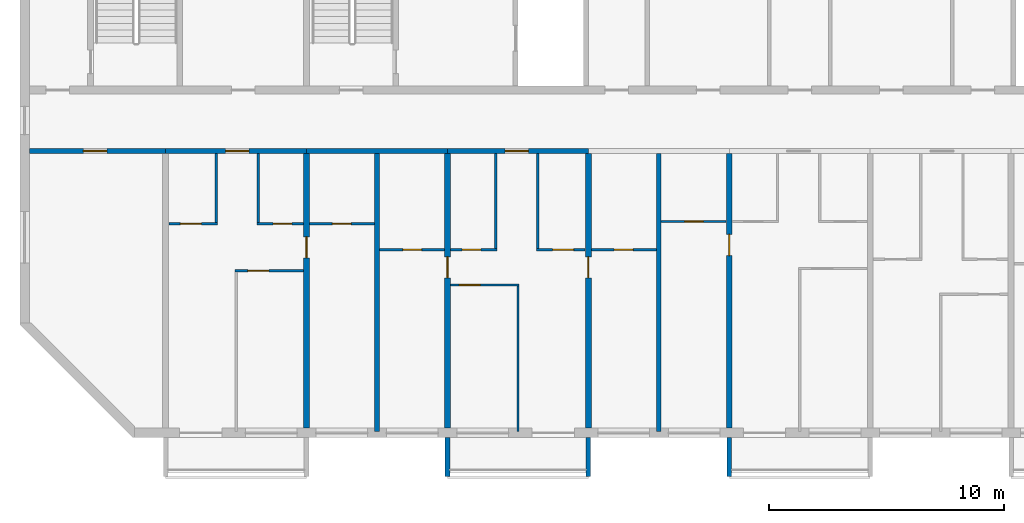
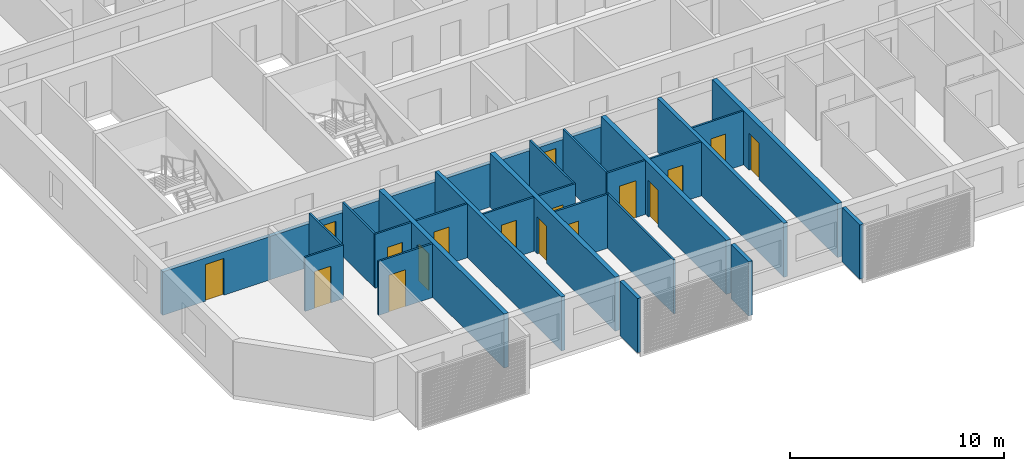
# One storey, part 2 of 29: 28 walls, 17 doors, 17 openings.
"""IFC4 building model written with IfcOpenShell, lengths in metres."""

import ifcopenshell
import ifcopenshell.guid

model = None  # the IFC model being written
_history = None  # IfcOwnerHistory: only IFC2X3 demands one
_inside = {}  # id of a spatial element -> (the spatial element, [elements in it])
_under = {}  # id of a project, library or spatial element -> (it, [spatial elements below it])
_declared = {}  # id of a project -> (the project, [libraries it declares])
_typed = {}  # id of a type object -> (the type object, [elements of that type])
_made_of = {}  # id of a material, layer set ... -> (it, [elements and type objects made of it])


def new_model(schema):
    """Start an empty IFC model of exactly this schema.

    Asked for "IFC4X3", IfcOpenShell would pick the latest addendum, in which some entities
    have other attributes; the version numbers below select the first issue.
    IFC2X3 requires an IfcOwnerHistory on every rooted entity: one is made here for all.
    """
    global model, _history
    if schema == "IFC4X3":
        model = ifcopenshell.file(schema_version=(4, 3, 0, 0))
    else:
        model = ifcopenshell.file(schema=schema)
    _inside.clear()
    _under.clear()
    _declared.clear()
    _typed.clear()
    _made_of.clear()
    _history = None
    if model.schema == "IFC2X3":
        org = make("IfcOrganization", Name="unknown")
        user = make(
            "IfcPersonAndOrganization",
            ThePerson=make("IfcPerson", FamilyName="unknown"),
            TheOrganization=org,
        )
        app = make(
            "IfcApplication",
            ApplicationDeveloper=org,
            Version="unknown",
            ApplicationFullName="unknown",
            ApplicationIdentifier="unknown",
        )
        _history = make(
            "IfcOwnerHistory",
            OwningUser=user,
            OwningApplication=app,
            ChangeAction="ADDED",
            CreationDate=0,
        )
    return model


def make(cls, **values):
    """One entity of the class cls with the attributes given. An attribute that is None is left unset."""
    return model.create_entity(
        cls, **{name: value for name, value in values.items() if value is not None}
    )


def rooted(cls, **values):
    """An entity with a GlobalId (a new one), such as an element, a storey or a relation."""
    return make(cls, GlobalId=ifcopenshell.guid.new(), OwnerHistory=_history, **values)


def si_unit(unit_type, name, prefix=None):
    """IfcSIUnit, for example si_unit("LENGTHUNIT", "METRE", prefix="MILLI")."""
    return make("IfcSIUnit", UnitType=unit_type, Prefix=prefix, Name=name)


def assignment(units):
    """IfcUnitAssignment: the units of a project."""
    return None if units is None else make("IfcUnitAssignment", Units=units)


def point(xyz):
    """IfcCartesianPoint."""
    return None if xyz is None else make("IfcCartesianPoint", Coordinates=xyz)


def direction(xyz):
    """IfcDirection."""
    return None if xyz is None else make("IfcDirection", DirectionRatios=xyz)


def frame(location, z_axis=None, x_axis=None):
    """IfcAxis2Placement3D, a coordinate frame: its origin and axes. An axis left out is left unset."""
    return make(
        "IfcAxis2Placement3D",
        Location=point(location),
        Axis=direction(z_axis),
        RefDirection=direction(x_axis),
    )


def frame_2d(location, x_axis=None):
    """IfcAxis2Placement2D, a coordinate frame in the plane: its origin and x axis."""
    return make(
        "IfcAxis2Placement2D", Location=point(location), RefDirection=direction(x_axis)
    )


def origin():
    """The frame at (0, 0, 0) with its axes left unset."""
    return frame((0.0, 0.0, 0.0))


def place(relative_to, where):
    """IfcLocalPlacement: puts the frame where relative to a parent placement (None: the world)."""
    return make(
        "IfcLocalPlacement", PlacementRelTo=relative_to, RelativePlacement=where
    )


def context(
    kind, dimensions, precision=None, world=None, true_north=None, identifier=None
):
    """IfcGeometricRepresentationContext, for example the 3D "Model" context."""
    return make(
        "IfcGeometricRepresentationContext",
        ContextIdentifier=identifier,
        ContextType=kind,
        CoordinateSpaceDimension=dimensions,
        Precision=precision,
        WorldCoordinateSystem=world,
        TrueNorth=true_north,
    )


def subcontext(parent, identifier, kind, view, scale=None):
    """IfcGeometricRepresentationSubContext, for example "Body" below "Model"."""
    return make(
        "IfcGeometricRepresentationSubContext",
        ContextIdentifier=identifier,
        ContextType=kind,
        ParentContext=parent,
        TargetScale=scale,
        TargetView=view,
    )


def project(units=None, contexts=None):
    """IfcProject with its units and contexts."""
    return rooted(
        "IfcProject",
        Name="project",
        RepresentationContexts=contexts,
        UnitsInContext=assignment(units),
    )


def spatial(cls, under=None, at=None, **own):
    """A site, building, storey or space (cls), placed at a placement, below another one or the project."""
    s = rooted(cls, ObjectPlacement=at, **own)
    if under is not None:
        _under.setdefault(under.id(), (under, []))[1].append(s)
    return s


def polyline(points):
    """IfcPolyline through the points."""
    return make("IfcPolyline", Points=[point(p) for p in points])


def profile(cls, at=None, kind="AREA", **sizes):
    """A parametric profile (cls). Its sizes go by their IFC names, for example OverallWidth=200.0."""
    return make(cls, ProfileType=kind, Position=at, **sizes)


def rectangle(**sizes):
    """IfcRectangleProfileDef."""
    return profile("IfcRectangleProfileDef", **sizes)


def outline(outer, holes=None, kind="AREA"):
    """IfcArbitraryClosedProfileDef: a profile drawn as a closed curve; with holes, ...WithVoids."""
    if holes is None:
        return make("IfcArbitraryClosedProfileDef", ProfileType=kind, OuterCurve=outer)
    return make(
        "IfcArbitraryProfileDefWithVoids",
        ProfileType=kind,
        OuterCurve=outer,
        InnerCurves=holes,
    )


def extrude(swept, where, along, depth):
    """IfcExtrudedAreaSolid: the profile swept, set in the frame where, extruded along a direction by depth."""
    return make(
        "IfcExtrudedAreaSolid",
        SweptArea=swept,
        Position=where,
        ExtrudedDirection=direction(along),
        Depth=depth,
    )


def shape(context_of_items, identifier, shape_type, items):
    """IfcShapeRepresentation: the items that make up one representation, for example the "Body"."""
    return make(
        "IfcShapeRepresentation",
        ContextOfItems=context_of_items,
        RepresentationIdentifier=identifier,
        RepresentationType=shape_type,
        Items=items,
    )


def source(mapping_origin, context_of_items, identifier, shape_type, items):
    """IfcRepresentationMap: a shape defined once, which mapped items show again and again."""
    return make(
        "IfcRepresentationMap",
        MappingOrigin=mapping_origin,
        MappedRepresentation=shape(context_of_items, identifier, shape_type, items),
    )


def transform(
    local_origin,
    x_axis=None,
    y_axis=None,
    z_axis=None,
    scale=None,
    scale2=None,
    scale3=None,
    uniform=True,
):
    """IfcCartesianTransformationOperator3D, or its non-uniform kind. x_axis, y_axis, z_axis: its Axis1, 2, 3."""
    if uniform:
        return make(
            "IfcCartesianTransformationOperator3D",
            Axis1=direction(x_axis),
            Axis2=direction(y_axis),
            LocalOrigin=point(local_origin),
            Scale=scale,
            Axis3=direction(z_axis),
        )
    return make(
        "IfcCartesianTransformationOperator3DnonUniform",
        Axis1=direction(x_axis),
        Axis2=direction(y_axis),
        LocalOrigin=point(local_origin),
        Scale=scale,
        Axis3=direction(z_axis),
        Scale2=scale2,
        Scale3=scale3,
    )


def mapped(mapping_source, mapping_target):
    """IfcMappedItem: shows the shape of a source again, moved by a transform."""
    return make(
        "IfcMappedItem", MappingSource=mapping_source, MappingTarget=mapping_target
    )


def material(Name=None, Category=None):
    """IfcMaterial."""
    return make("IfcMaterial", Name=Name, Category=Category)


def layer(
    of_material, thickness, ventilated=None, Name=None, Category=None, Priority=None
):
    """IfcMaterialLayer: one layer of a wall or slab, of a material (None: an air gap)."""
    return make(
        "IfcMaterialLayer",
        Material=of_material,
        LayerThickness=thickness,
        IsVentilated=ventilated,
        Name=Name,
        Category=Category,
        Priority=Priority,
    )


def layer_set(layers, Name=None):
    """IfcMaterialLayerSet."""
    return make("IfcMaterialLayerSet", MaterialLayers=layers, LayerSetName=Name)


def made_of(thing, what):
    """Note that an element or type object is made of a material, layer set ...; save() writes the relation."""
    if what is not None:
        _made_of.setdefault(what.id(), (what, []))[1].append(thing)
    return thing


def type_object(cls, material=None, **own):
    """A type object (cls), such as IfcWallType, which elements share."""
    return made_of(rooted(cls, **own), material)


def element(
    cls,
    number,
    at=None,
    inside=None,
    cuts=None,
    type_object=None,
    material=None,
    context=None,
    identifier="Body",
    shape_type=None,
    held_by="IfcProductDefinitionShape",
    body=None,
    shapes=None,
    **own,
):
    """One element of the class cls, such as IfcWall. Its Tag is "e" and its number.

    at: its placement. inside: the storey or other place that contains it. cuts: it is an
    opening in that element (IfcRelVoidsElement). A single representation is given by context,
    identifier, shape_type and body (its items); several are given by shapes. held_by: the class
    of the entity that holds the representations. save() writes the other relations.
    """
    e = rooted(cls, Tag="e%d" % number, ObjectPlacement=at, **own)
    if body is not None:
        shapes = [shape(context, identifier, shape_type, body)]
    if shapes is not None:
        e.Representation = make(held_by, Representations=shapes)
    if inside is not None:
        _inside.setdefault(inside.id(), (inside, []))[1].append(e)
    if cuts is not None:
        rooted(
            "IfcRelVoidsElement", RelatingBuildingElement=cuts, RelatedOpeningElement=e
        )
    if type_object is not None:
        _typed.setdefault(type_object.id(), (type_object, []))[1].append(e)
    return made_of(e, material)


def fill(opening, filler):
    """IfcRelFillsElement: the door or window that sits in an opening."""
    return rooted(
        "IfcRelFillsElement",
        RelatingOpeningElement=opening,
        RelatedBuildingElement=filler,
    )


def aggregate(whole, parts):
    """IfcRelAggregates: a whole, such as a stair, and the parts it consists of."""
    return rooted("IfcRelAggregates", RelatingObject=whole, RelatedObjects=parts)


def save(model, path):
    """Write the relations noted so far, then the file.

    IfcRelAggregates (storeys below a building ...), IfcRelContainedInSpatialStructure (elements
    in a storey), IfcRelDefinesByType, IfcRelAssociatesMaterial and IfcRelDeclares: one each for
    every whole, place, type object, material and project.
    """
    for whole, parts in _under.values():
        aggregate(whole, parts)
    for where, things in _inside.values():
        rooted(
            "IfcRelContainedInSpatialStructure",
            RelatedElements=things,
            RelatingStructure=where,
        )
    for kind, things in _typed.values():
        rooted("IfcRelDefinesByType", RelatedObjects=things, RelatingType=kind)
    for what, things in _made_of.values():
        rooted("IfcRelAssociatesMaterial", RelatedObjects=things, RelatingMaterial=what)
    for by, libraries in _declared.values():
        rooted("IfcRelDeclares", RelatingContext=by, RelatedDefinitions=libraries)
    model.write(path)


model = new_model("IFC4")

# Units and contexts
model_context = context("Model", 3, precision=1e-05, world=origin(), true_north=direction((0.0, 1.0)))
body_context = subcontext(model_context, "Body", "Model", "MODEL_VIEW")
ifc_project = project(units=[si_unit("LENGTHUNIT", "METRE"), si_unit("AREAUNIT", "SQUARE_METRE"), si_unit("VOLUMEUNIT", "CUBIC_METRE"), si_unit("PLANEANGLEUNIT", "RADIAN"), si_unit("MASSUNIT", "GRAM", prefix="KILO")], contexts=[model_context])

# Site, building, storey
site_placement = place(None, origin())
site = spatial("IfcSite", under=ifc_project, at=site_placement, CompositionType="ELEMENT")
building_placement = place(site_placement, origin())
building = spatial("IfcBuilding", under=site, at=building_placement, Name="Poui Terraces", CompositionType="ELEMENT")
storey_placement = place(building_placement, frame((0.0, 0.0, 231.300048828125)))
storey = spatial("IfcBuildingStorey", under=building, at=storey_placement, Name="L64", CompositionType="ELEMENT", Elevation=231.300048828125)

# Wall, opening, door
ifc_material_1 = material(Name="Concrete 50 MPa", Category="concrete")
ifc_layer_1 = layer(ifc_material_1, 0.199951171875)
ifc_layer_set_1 = layer_set([ifc_layer_1], Name="Concrete 50 MPa")
wall_type_1 = type_object("IfcWallType", Name="CORRIDOR WALL 200 50MPa", PredefinedType="SHEAR", material=ifc_layer_set_1)
wall_1_placement = place(storey_placement, frame((18.199951171875, 12.0, 0.0), z_axis=(0.0, 0.0, 1.0), x_axis=(1.0, 0.0, 0.0)))
wall_1 = element("IfcWall", 1, at=wall_1_placement, inside=storey, type_object=wall_type_1, Name="CORRIDOR WALL LINE B BAY 1", PredefinedType="SHEAR", context=body_context, shape_type="SweptSolid", body=[
    extrude(rectangle(XDim=5.800048828125, YDim=0.199951171875, at=frame_2d((2.89990234375, 0.0))), origin(), (0.0, 0.0, 1.0), 2.47998046875),
])
opening_1_placement = place(wall_1_placement, frame((2.300048828125, 0.0, 0.0)))
opening_1 = element("IfcOpeningElement", 2, at=opening_1_placement, cuts=wall_1, Name="Opening D100", PredefinedType="OPENING", context=body_context, shape_type="SweptSolid", body=[
    extrude(rectangle(XDim=1.0, YDim=2.10009765625, at=frame_2d((0.5, 1.050048828125))), frame((0.0, 0.10986328125, 0.0), z_axis=(0.0, -1.0, 0.0), x_axis=(1.0, 0.0, 0.0)), (0.0, 0.0, 1.0), 0.219970703125),
])
ifc_material_2 = material(Name="Solid core timber door", Category="wood")
door_type_1 = type_object("IfcDoorType", Name="ACCESSIBLE INTERNAL DOOR 1000 X 2100", OperationType="NOTDEFINED", PredefinedType="DOOR", material=ifc_material_2)
door_1_placement = place(opening_1_placement, frame((1.0, 0.0, 0.0), z_axis=(0.0, 0.0, 1.0), x_axis=(-1.0, 0.0, 0.0)))
door_1 = element("IfcDoor", 3, at=door_1_placement, inside=storey, type_object=door_type_1, Name="ACCESSIBLE INTERNAL DOOR 063", OperationType="SINGLE_SWING_RIGHT", OverallHeight=2.10009765625, OverallWidth=1.0, PredefinedType="DOOR", context=body_context, shape_type="SweptSolid", body=[
    extrude(rectangle(XDim=1.0, YDim=2.10009765625, at=frame_2d((0.5, 1.050048828125))), frame((0.0, 0.02490234375, 0.0), z_axis=(0.0, -1.0, 0.0), x_axis=(1.0, 0.0, 0.0)), (0.0, 0.0, 1.0), 0.050048828125),
])
fill(opening_1, door_1)

wall_2_placement = place(storey_placement, frame((24.0, 12.0, 0.0), z_axis=(0.0, 0.0, 1.0), x_axis=(1.0, 0.0, 0.0)))
wall_2 = element("IfcWall", 4, at=wall_2_placement, inside=storey, type_object=wall_type_1, Name="CORRIDOR WALL LINE B BAY 2", PredefinedType="SHEAR", context=body_context, shape_type="SweptSolid", body=[
    extrude(rectangle(XDim=6.0, YDim=0.199951171875, at=frame_2d((3.0, 0.0))), origin(), (0.0, 0.0, 1.0), 2.47998046875),
])
opening_2_placement = place(wall_2_placement, frame((2.550048828125, 0.0, 0.0)))
opening_2 = element("IfcOpeningElement", 5, at=opening_2_placement, cuts=wall_2, Name="Opening FD30S", PredefinedType="OPENING", context=body_context, shape_type="SweptSolid", body=[
    extrude(rectangle(XDim=1.0, YDim=2.10009765625, at=frame_2d((0.5, 1.050048828125))), frame((0.0, 0.10986328125, 0.0), z_axis=(0.0, -1.0, 0.0), x_axis=(1.0, 0.0, 0.0)), (0.0, 0.0, 1.0), 0.219970703125),
])
ifc_material_3 = material(Name="Steel fire door", Category="steel")
door_type_2 = type_object("IfcDoorType", Name="FLAT ENTRANCE DOOR 1000 X 2100", OperationType="NOTDEFINED", PredefinedType="DOOR", material=ifc_material_3)
door_2_placement = place(opening_2_placement, frame((1.0, 0.0, 0.0), z_axis=(0.0, 0.0, 1.0), x_axis=(-1.0, 0.0, 0.0)))
door_2 = element("IfcDoor", 6, at=door_2_placement, inside=storey, type_object=door_type_2, Name="FLAT ENTRANCE DOOR 066", OperationType="SINGLE_SWING_LEFT", OverallHeight=2.10009765625, OverallWidth=1.0, PredefinedType="DOOR", context=body_context, shape_type="SweptSolid", body=[
    extrude(rectangle(XDim=1.0, YDim=2.10009765625, at=frame_2d((0.5, 1.050048828125))), frame((0.0, 0.02490234375, 0.0), z_axis=(0.0, -1.0, 0.0), x_axis=(1.0, 0.0, 0.0)), (0.0, 0.0, 1.0), 0.050048828125),
])
fill(opening_2, door_2)

# Wall
wall_3_placement = place(storey_placement, frame((30.0, 12.0, 0.0), z_axis=(0.0, 0.0, 1.0), x_axis=(1.0, 0.0, 0.0)))
element("IfcWall", 7, at=wall_3_placement, inside=storey, type_object=wall_type_1, Name="CORRIDOR WALL LINE B BAY 3", PredefinedType="SHEAR", context=body_context, shape_type="SweptSolid", body=[
    extrude(rectangle(XDim=6.0, YDim=0.199951171875, at=frame_2d((3.0, 0.0))), origin(), (0.0, 0.0, 1.0), 2.47998046875),
])

# Wall, opening, door
wall_4_placement = place(storey_placement, frame((36.0, 12.0, 0.0), z_axis=(0.0, 0.0, 1.0), x_axis=(1.0, 0.0, 0.0)))
wall_4 = element("IfcWall", 8, at=wall_4_placement, inside=storey, type_object=wall_type_1, Name="CORRIDOR WALL LINE B BAY 4", PredefinedType="SHEAR", context=body_context, shape_type="SweptSolid", body=[
    extrude(rectangle(XDim=6.0, YDim=0.199951171875, at=frame_2d((3.0, 0.0))), origin(), (0.0, 0.0, 1.0), 2.47998046875),
])
opening_3_placement = place(wall_4_placement, frame((2.449951171875, 0.0, 0.0)))
opening_3 = element("IfcOpeningElement", 9, at=opening_3_placement, cuts=wall_4, Name="Opening FD30S", PredefinedType="OPENING", context=body_context, shape_type="SweptSolid", body=[
    extrude(rectangle(XDim=1.0, YDim=2.10009765625, at=frame_2d((0.5, 1.050048828125))), frame((0.0, 0.10986328125, 0.0), z_axis=(0.0, -1.0, 0.0), x_axis=(1.0, 0.0, 0.0)), (0.0, 0.0, 1.0), 0.219970703125),
])
door_3_placement = place(opening_3_placement, frame((1.0, 0.0, 0.0), z_axis=(0.0, 0.0, 1.0), x_axis=(-1.0, 0.0, 0.0)))
door_3 = element("IfcDoor", 10, at=door_3_placement, inside=storey, type_object=door_type_2, Name="FLAT ENTRANCE DOOR 075", OperationType="SINGLE_SWING_RIGHT", OverallHeight=2.10009765625, OverallWidth=1.0, PredefinedType="DOOR", context=body_context, shape_type="SweptSolid", body=[
    extrude(rectangle(XDim=1.0, YDim=2.10009765625, at=frame_2d((0.5, 1.050048828125))), frame((0.0, 0.02490234375, 0.0), z_axis=(0.0, -1.0, 0.0), x_axis=(1.0, 0.0, 0.0)), (0.0, 0.0, 1.0), 0.050048828125),
])
fill(opening_3, door_3)

ifc_layer_2 = layer(ifc_material_1, 0.25)
ifc_layer_set_2 = layer_set([ifc_layer_2], Name="Concrete 50 MPa")
wall_type_2 = type_object("IfcWallType", Name="CROSS WALL 250 50MPa", PredefinedType="SHEAR", material=ifc_layer_set_2)
wall_5_placement = place(storey_placement, frame((30.0, 0.199951171875, 0.0), z_axis=(0.0, 0.0, 1.0), x_axis=(0.0, 1.0, 0.0)))
wall_5 = element("IfcWall", 11, at=wall_5_placement, inside=storey, type_object=wall_type_2, Name="CROSS WALL LINE 6 SOUTH", PredefinedType="SHEAR", context=body_context, shape_type="SweptSolid", body=[
    extrude(rectangle(XDim=11.699951171875, YDim=0.25, at=frame_2d((5.85009765625, 0.0))), origin(), (0.0, 0.0, 1.0), 3.079833984375),
])
opening_4_placement = place(wall_5_placement, frame((7.25, 0.0, 0.0)))
opening_4 = element("IfcOpeningElement", 12, at=opening_4_placement, cuts=wall_5, Name="Opening D90", PredefinedType="OPENING", context=body_context, shape_type="SweptSolid", body=[
    extrude(rectangle(XDim=0.89990234375, YDim=2.10009765625, at=frame_2d((0.449951171875, 1.050048828125))), frame((0.0, 0.135009765625, 0.0), z_axis=(0.0, -1.0, 0.0), x_axis=(1.0, 0.0, 0.0)), (0.0, 0.0, 1.0), 0.27001953125),
])
door_type_3 = type_object("IfcDoorType", Name="INTERNAL DOOR 900 X 2100", OperationType="NOTDEFINED", PredefinedType="DOOR", material=ifc_material_2)
door_4_placement = place(opening_4_placement, frame((0.89990234375, 0.0, 0.0), z_axis=(0.0, 0.0, 1.0), x_axis=(-1.0, 0.0, 0.0)))
door_4 = element("IfcDoor", 13, at=door_4_placement, inside=storey, type_object=door_type_3, Name="INTERNAL DOOR 069", OperationType="SINGLE_SWING_LEFT", OverallHeight=2.10009765625, OverallWidth=0.89990234375, PredefinedType="DOOR", context=body_context, shape_type="SweptSolid", body=[
    extrude(rectangle(XDim=0.89990234375, YDim=2.10009765625, at=frame_2d((0.449951171875, 1.050048828125))), frame((0.0, 0.02490234375, 0.0), z_axis=(0.0, -1.0, 0.0), x_axis=(1.0, 0.0, 0.0)), (0.0, 0.0, 1.0), 0.050048828125),
])
fill(opening_4, door_4)

wall_6_placement = place(storey_placement, frame((36.0, 0.199951171875, 0.0), z_axis=(0.0, 0.0, 1.0), x_axis=(0.0, 1.0, 0.0)))
wall_6 = element("IfcWall", 14, at=wall_6_placement, inside=storey, type_object=wall_type_2, Name="CROSS WALL LINE 7 SOUTH", PredefinedType="SHEAR", context=body_context, shape_type="SweptSolid", body=[
    extrude(rectangle(XDim=11.699951171875, YDim=0.25, at=frame_2d((5.85009765625, 0.0))), origin(), (0.0, 0.0, 1.0), 3.079833984375),
])
opening_5_placement = place(wall_6_placement, frame((6.39990234375, 0.0, 0.0)))
opening_5 = element("IfcOpeningElement", 15, at=opening_5_placement, cuts=wall_6, Name="Opening D90", PredefinedType="OPENING", context=body_context, shape_type="SweptSolid", body=[
    extrude(rectangle(XDim=0.89990234375, YDim=2.10009765625, at=frame_2d((0.449951171875, 1.050048828125))), frame((0.0, 0.135009765625, 0.0), z_axis=(0.0, -1.0, 0.0), x_axis=(1.0, 0.0, 0.0)), (0.0, 0.0, 1.0), 0.27001953125),
])
door_5_placement = place(opening_5_placement, origin())
door_5 = element("IfcDoor", 16, at=door_5_placement, inside=storey, type_object=door_type_3, Name="INTERNAL DOOR 072", OperationType="SINGLE_SWING_RIGHT", OverallHeight=2.10009765625, OverallWidth=0.89990234375, PredefinedType="DOOR", context=body_context, shape_type="SweptSolid", body=[
    extrude(rectangle(XDim=0.89990234375, YDim=2.10009765625, at=frame_2d((0.449951171875, 1.050048828125))), frame((0.0, 0.02490234375, 0.0), z_axis=(0.0, -1.0, 0.0), x_axis=(1.0, 0.0, 0.0)), (0.0, 0.0, 1.0), 0.050048828125),
])
fill(opening_5, door_5)

wall_7_placement = place(storey_placement, frame((42.0, 0.199951171875, 0.0), z_axis=(0.0, 0.0, 1.0), x_axis=(0.0, 1.0, 0.0)))
wall_7 = element("IfcWall", 17, at=wall_7_placement, inside=storey, type_object=wall_type_2, Name="CROSS WALL LINE 8 SOUTH", PredefinedType="SHEAR", context=body_context, shape_type="SweptSolid", body=[
    extrude(rectangle(XDim=11.699951171875, YDim=0.25, at=frame_2d((5.85009765625, 0.0))), origin(), (0.0, 0.0, 1.0), 3.079833984375),
])
opening_6_placement = place(wall_7_placement, frame((6.39990234375, 0.0, 0.0)))
opening_6 = element("IfcOpeningElement", 18, at=opening_6_placement, cuts=wall_7, Name="Opening D90", PredefinedType="OPENING", context=body_context, shape_type="SweptSolid", body=[
    extrude(rectangle(XDim=0.89990234375, YDim=2.10009765625, at=frame_2d((0.449951171875, 1.050048828125))), frame((0.0, 0.135009765625, 0.0), z_axis=(0.0, -1.0, 0.0), x_axis=(1.0, 0.0, 0.0)), (0.0, 0.0, 1.0), 0.27001953125),
])
door_6_placement = place(opening_6_placement, frame((0.89990234375, 0.0, 0.0), z_axis=(0.0, 0.0, 1.0), x_axis=(-1.0, 0.0, 0.0)))
door_6 = element("IfcDoor", 19, at=door_6_placement, inside=storey, type_object=door_type_3, Name="INTERNAL DOOR 077", OperationType="SINGLE_SWING_LEFT", OverallHeight=2.10009765625, OverallWidth=0.89990234375, PredefinedType="DOOR", context=body_context, shape_type="SweptSolid", body=[
    extrude(rectangle(XDim=0.89990234375, YDim=2.10009765625, at=frame_2d((0.449951171875, 1.050048828125))), frame((0.0, 0.02490234375, 0.0), z_axis=(0.0, -1.0, 0.0), x_axis=(1.0, 0.0, 0.0)), (0.0, 0.0, 1.0), 0.050048828125),
])
fill(opening_6, door_6)

wall_8_placement = place(storey_placement, frame((48.0, 0.199951171875, 0.0), z_axis=(0.0, 0.0, 1.0), x_axis=(0.0, 1.0, 0.0)))
wall_8 = element("IfcWall", 20, at=wall_8_placement, inside=storey, type_object=wall_type_2, Name="CROSS WALL LINE 9 SOUTH", PredefinedType="SHEAR", context=body_context, shape_type="SweptSolid", body=[
    extrude(rectangle(XDim=11.699951171875, YDim=0.25, at=frame_2d((5.85009765625, 0.0))), origin(), (0.0, 0.0, 1.0), 3.079833984375),
])
opening_7_placement = place(wall_8_placement, frame((7.35009765625, 0.0, 0.0)))
opening_7 = element("IfcOpeningElement", 21, at=opening_7_placement, cuts=wall_8, Name="Opening D90", PredefinedType="OPENING", context=body_context, shape_type="SweptSolid", body=[
    extrude(rectangle(XDim=0.89990234375, YDim=2.10009765625, at=frame_2d((0.449951171875, 1.050048828125))), frame((0.0, 0.135009765625, 0.0), z_axis=(0.0, -1.0, 0.0), x_axis=(1.0, 0.0, 0.0)), (0.0, 0.0, 1.0), 0.27001953125),
])
door_7_placement = place(opening_7_placement, origin())
door_7 = element("IfcDoor", 22, at=door_7_placement, inside=storey, type_object=door_type_3, Name="INTERNAL DOOR 079", OperationType="SINGLE_SWING_RIGHT", OverallHeight=2.10009765625, OverallWidth=0.89990234375, PredefinedType="DOOR", context=body_context, shape_type="SweptSolid", body=[
    extrude(rectangle(XDim=0.89990234375, YDim=2.10009765625, at=frame_2d((0.449951171875, 1.050048828125))), frame((0.0, 0.02490234375, 0.0), z_axis=(0.0, -1.0, 0.0), x_axis=(1.0, 0.0, 0.0)), (0.0, 0.0, 1.0), 0.050048828125),
])
fill(opening_7, door_7)

ifc_material_4 = material(Name="Plasterboard partition")
ifc_layer_3 = layer(ifc_material_4, 0.10009765625)
ifc_layer_set_3 = layer_set([ifc_layer_3], Name="Plasterboard partition")
wall_type_3 = type_object("IfcWallType", Name="FLAT PARTITION 100", PredefinedType="PARTITIONING", material=ifc_layer_set_3)
wall_9_placement = place(storey_placement, frame((36.135009765625, 6.300048828125, 0.0), z_axis=(0.0, 0.0, 1.0), x_axis=(1.0, 0.0, 0.0)))
wall_9 = element("IfcWall", 23, at=wall_9_placement, inside=storey, type_object=wall_type_3, Name="FLAT PARTITION 100", PredefinedType="PARTITIONING", context=body_context, shape_type="SweptSolid", body=[
    extrude(rectangle(XDim=2.9150390625, YDim=0.10009765625, at=frame_2d((1.45751953125, 0.0))), origin(), (0.0, 0.0, 1.0), 3.079833984375),
])
opening_8_placement = place(wall_9_placement, frame((0.364990234375, 0.0, 0.0)))
opening_8 = element("IfcOpeningElement", 24, at=opening_8_placement, cuts=wall_9, Name="Opening D90", PredefinedType="OPENING", context=body_context, shape_type="SweptSolid", body=[
    extrude(rectangle(XDim=0.89990234375, YDim=2.10009765625, at=frame_2d((0.449951171875, 1.050048828125))), frame((0.0, 0.06005859375, 0.0), z_axis=(0.0, -1.0, 0.0), x_axis=(1.0, 0.0, 0.0)), (0.0, 0.0, 1.0), 0.1201171875),
])
door_8_placement = place(opening_8_placement, origin())
door_8 = element("IfcDoor", 25, at=door_8_placement, inside=storey, type_object=door_type_3, Name="INTERNAL DOOR 073", OperationType="SINGLE_SWING_RIGHT", OverallHeight=2.10009765625, OverallWidth=0.89990234375, PredefinedType="DOOR", context=body_context, shape_type="SweptSolid", body=[
    extrude(rectangle(XDim=0.89990234375, YDim=2.10009765625, at=frame_2d((0.449951171875, 1.050048828125))), frame((0.0, 0.02490234375, 0.0), z_axis=(0.0, -1.0, 0.0), x_axis=(1.0, 0.0, 0.0)), (0.0, 0.0, 1.0), 0.050048828125),
])
fill(opening_8, door_8)

wall_10_placement = place(storey_placement, frame((26.949951171875, 6.89990234375, 0.0), z_axis=(0.0, 0.0, 1.0), x_axis=(1.0, 0.0, 0.0)))
wall_10 = element("IfcWall", 26, at=wall_10_placement, inside=storey, type_object=wall_type_3, Name="FLAT PARTITION 100", PredefinedType="PARTITIONING", context=body_context, shape_type="SweptSolid", body=[
    extrude(rectangle(XDim=2.9150390625, YDim=0.10009765625, at=frame_2d((1.45751953125, 0.0))), origin(), (0.0, 0.0, 1.0), 3.079833984375),
])
opening_9_placement = place(wall_10_placement, frame((0.550048828125, 0.0, 0.0)))
opening_9 = element("IfcOpeningElement", 27, at=opening_9_placement, cuts=wall_10, Name="Opening D90", PredefinedType="OPENING", context=body_context, shape_type="SweptSolid", body=[
    extrude(rectangle(XDim=0.89990234375, YDim=2.10009765625, at=frame_2d((0.449951171875, 1.050048828125))), frame((0.0, 0.06005859375, 0.0), z_axis=(0.0, -1.0, 0.0), x_axis=(1.0, 0.0, 0.0)), (0.0, 0.0, 1.0), 0.1201171875),
])
door_9_placement = place(opening_9_placement, origin())
door_9 = element("IfcDoor", 28, at=door_9_placement, inside=storey, type_object=door_type_3, Name="INTERNAL DOOR 067", OperationType="SINGLE_SWING_RIGHT", OverallHeight=2.10009765625, OverallWidth=0.89990234375, PredefinedType="DOOR", context=body_context, shape_type="SweptSolid", body=[
    extrude(rectangle(XDim=0.89990234375, YDim=2.10009765625, at=frame_2d((0.449951171875, 1.050048828125))), frame((0.0, 0.02490234375, 0.0), z_axis=(0.0, -1.0, 0.0), x_axis=(1.0, 0.0, 0.0)), (0.0, 0.0, 1.0), 0.050048828125),
])
fill(opening_9, door_9)

wall_11_placement = place(storey_placement, frame((33.10009765625, 7.800048828125, 0.0), z_axis=(0.0, 0.0, 1.0), x_axis=(1.0, 0.0, 0.0)))
wall_11 = element("IfcWall", 29, at=wall_11_placement, inside=storey, type_object=wall_type_3, Name="FLAT PARTITION 100", PredefinedType="PARTITIONING", context=body_context, shape_type="SweptSolid", body=[
    extrude(rectangle(XDim=2.764892578125, YDim=0.10009765625, at=frame_2d((1.38232421875, 0.0))), origin(), (0.0, 0.0, 1.0), 3.079833984375),
])
opening_10_placement = place(wall_11_placement, frame((1.0, 0.0, 0.0)))
opening_10 = element("IfcOpeningElement", 30, at=opening_10_placement, cuts=wall_11, Name="Opening D80", PredefinedType="OPENING", context=body_context, shape_type="SweptSolid", body=[
    extrude(rectangle(XDim=0.800048828125, YDim=2.10009765625, at=frame_2d((0.39990234375, 1.050048828125))), frame((0.0, 0.06005859375, 0.0), z_axis=(0.0, -1.0, 0.0), x_axis=(1.0, 0.0, 0.0)), (0.0, 0.0, 1.0), 0.1201171875),
])
door_type_4 = type_object("IfcDoorType", Name="BATHROOM, LAUNDRY AND STORE DOOR 800 X 2100", OperationType="NOTDEFINED", PredefinedType="DOOR", material=ifc_material_2)
door_10_placement = place(opening_10_placement, origin())
door_10 = element("IfcDoor", 31, at=door_10_placement, inside=storey, type_object=door_type_4, Name="BATHROOM, LAUNDRY AND STORE DOOR 070", OperationType="SINGLE_SWING_LEFT", OverallHeight=2.10009765625, OverallWidth=0.800048828125, PredefinedType="DOOR", context=body_context, shape_type="SweptSolid", body=[
    extrude(rectangle(XDim=0.800048828125, YDim=2.10009765625, at=frame_2d((0.39990234375, 1.050048828125))), frame((0.0, 0.02490234375, 0.0), z_axis=(0.0, -1.0, 0.0), x_axis=(1.0, 0.0, 0.0)), (0.0, 0.0, 1.0), 0.050048828125),
])
fill(opening_10, door_10)

wall_12_placement = place(storey_placement, frame((36.135009765625, 7.800048828125, 0.0), z_axis=(0.0, 0.0, 1.0), x_axis=(1.0, 0.0, 0.0)))
wall_12 = element("IfcWall", 32, at=wall_12_placement, inside=storey, type_object=wall_type_3, Name="FLAT PARTITION 100", PredefinedType="PARTITIONING", context=body_context, shape_type="SweptSolid", body=[
    extrude(rectangle(XDim=1.965087890625, YDim=0.10009765625, at=frame_2d((0.982421875, 0.0))), origin(), (0.0, 0.0, 1.0), 3.079833984375),
])
opening_11_placement = place(wall_12_placement, frame((0.489990234375, 0.0, 0.0)))
opening_11 = element("IfcOpeningElement", 33, at=opening_11_placement, cuts=wall_12, Name="Opening D80", PredefinedType="OPENING", context=body_context, shape_type="SweptSolid", body=[
    extrude(rectangle(XDim=0.800048828125, YDim=2.10009765625, at=frame_2d((0.39990234375, 1.050048828125))), frame((0.0, 0.06005859375, 0.0), z_axis=(0.0, -1.0, 0.0), x_axis=(1.0, 0.0, 0.0)), (0.0, 0.0, 1.0), 0.1201171875),
])
door_11_placement = place(opening_11_placement, origin())
door_11 = element("IfcDoor", 34, at=door_11_placement, inside=storey, type_object=door_type_4, Name="BATHROOM, LAUNDRY AND STORE DOOR 074", OperationType="SINGLE_SWING_LEFT", OverallHeight=2.10009765625, OverallWidth=0.800048828125, PredefinedType="DOOR", context=body_context, shape_type="SweptSolid", body=[
    extrude(rectangle(XDim=0.800048828125, YDim=2.10009765625, at=frame_2d((0.39990234375, 1.050048828125))), frame((0.0, 0.02490234375, 0.0), z_axis=(0.0, -1.0, 0.0), x_axis=(1.0, 0.0, 0.0)), (0.0, 0.0, 1.0), 0.050048828125),
])
fill(opening_11, door_11)

wall_13_placement = place(storey_placement, frame((39.800048828125, 7.800048828125, 0.0), z_axis=(0.0, 0.0, 1.0), x_axis=(1.0, 0.0, 0.0)))
wall_13 = element("IfcWall", 35, at=wall_13_placement, inside=storey, type_object=wall_type_3, Name="FLAT PARTITION 100", PredefinedType="PARTITIONING", context=body_context, shape_type="SweptSolid", body=[
    extrude(rectangle(XDim=2.06494140625, YDim=0.10009765625, at=frame_2d((1.032470703125, 0.0))), origin(), (0.0, 0.0, 1.0), 3.079833984375),
])
opening_12_placement = place(wall_13_placement, frame((0.675048828125, 0.0, 0.0)))
opening_12 = element("IfcOpeningElement", 36, at=opening_12_placement, cuts=wall_13, Name="Opening D90", PredefinedType="OPENING", context=body_context, shape_type="SweptSolid", body=[
    extrude(rectangle(XDim=0.89990234375, YDim=2.10009765625, at=frame_2d((0.449951171875, 1.050048828125))), frame((0.0, 0.06005859375, 0.0), z_axis=(0.0, -1.0, 0.0), x_axis=(1.0, 0.0, 0.0)), (0.0, 0.0, 1.0), 0.1201171875),
])
door_12_placement = place(opening_12_placement, origin())
door_12 = element("IfcDoor", 37, at=door_12_placement, inside=storey, type_object=door_type_3, Name="INTERNAL DOOR 076", OperationType="SINGLE_SWING_RIGHT", OverallHeight=2.10009765625, OverallWidth=0.89990234375, PredefinedType="DOOR", context=body_context, shape_type="SweptSolid", body=[
    extrude(rectangle(XDim=0.89990234375, YDim=2.10009765625, at=frame_2d((0.449951171875, 1.050048828125))), frame((0.0, 0.02490234375, 0.0), z_axis=(0.0, -1.0, 0.0), x_axis=(1.0, 0.0, 0.0)), (0.0, 0.0, 1.0), 0.050048828125),
])
fill(opening_12, door_12)

wall_14_placement = place(storey_placement, frame((42.135009765625, 7.800048828125, 0.0), z_axis=(0.0, 0.0, 1.0), x_axis=(1.0, 0.0, 0.0)))
wall_14 = element("IfcWall", 38, at=wall_14_placement, inside=storey, type_object=wall_type_3, Name="FLAT PARTITION 100", PredefinedType="PARTITIONING", context=body_context, shape_type="SweptSolid", body=[
    extrude(rectangle(XDim=2.764892578125, YDim=0.10009765625, at=frame_2d((1.38232421875, 0.0))), origin(), (0.0, 0.0, 1.0), 3.079833984375),
])
opening_13_placement = place(wall_14_placement, frame((0.965087890625, 0.0, 0.0)))
opening_13 = element("IfcOpeningElement", 39, at=opening_13_placement, cuts=wall_14, Name="Opening D80", PredefinedType="OPENING", context=body_context, shape_type="SweptSolid", body=[
    extrude(rectangle(XDim=0.800048828125, YDim=2.10009765625, at=frame_2d((0.39990234375, 1.050048828125))), frame((0.0, 0.06005859375, 0.0), z_axis=(0.0, -1.0, 0.0), x_axis=(1.0, 0.0, 0.0)), (0.0, 0.0, 1.0), 0.1201171875),
])
door_13_placement = place(opening_13_placement, origin())
door_13 = element("IfcDoor", 40, at=door_13_placement, inside=storey, type_object=door_type_4, Name="BATHROOM, LAUNDRY AND STORE DOOR 071", OperationType="SINGLE_SWING_LEFT", OverallHeight=2.10009765625, OverallWidth=0.800048828125, PredefinedType="DOOR", context=body_context, shape_type="SweptSolid", body=[
    extrude(rectangle(XDim=0.800048828125, YDim=2.10009765625, at=frame_2d((0.39990234375, 1.050048828125))), frame((0.0, 0.02490234375, 0.0), z_axis=(0.0, -1.0, 0.0), x_axis=(1.0, 0.0, 0.0)), (0.0, 0.0, 1.0), 0.050048828125),
])
fill(opening_13, door_13)

wall_15_placement = place(storey_placement, frame((24.135009765625, 8.89990234375, 0.0), z_axis=(0.0, 0.0, 1.0), x_axis=(1.0, 0.0, 0.0)))
wall_15 = element("IfcWall", 41, at=wall_15_placement, inside=storey, type_object=wall_type_3, Name="FLAT PARTITION 100", PredefinedType="PARTITIONING", context=body_context, shape_type="SweptSolid", body=[
    extrude(rectangle(XDim=2.06494140625, YDim=0.10009765625, at=frame_2d((1.032470703125, 0.0))), origin(), (0.0, 0.0, 1.0), 3.079833984375),
])
opening_14_placement = place(wall_15_placement, frame((0.489990234375, 0.0, 0.0)))
opening_14 = element("IfcOpeningElement", 42, at=opening_14_placement, cuts=wall_15, Name="Opening D90", PredefinedType="OPENING", context=body_context, shape_type="SweptSolid", body=[
    extrude(rectangle(XDim=0.89990234375, YDim=2.10009765625, at=frame_2d((0.449951171875, 1.050048828125))), frame((0.0, 0.06005859375, 0.0), z_axis=(0.0, -1.0, 0.0), x_axis=(1.0, 0.0, 0.0)), (0.0, 0.0, 1.0), 0.1201171875),
])
door_14_placement = place(opening_14_placement, origin())
door_14 = element("IfcDoor", 43, at=door_14_placement, inside=storey, type_object=door_type_3, Name="INTERNAL DOOR 065", OperationType="SINGLE_SWING_RIGHT", OverallHeight=2.10009765625, OverallWidth=0.89990234375, PredefinedType="DOOR", context=body_context, shape_type="SweptSolid", body=[
    extrude(rectangle(XDim=0.89990234375, YDim=2.10009765625, at=frame_2d((0.449951171875, 1.050048828125))), frame((0.0, 0.02490234375, 0.0), z_axis=(0.0, -1.0, 0.0), x_axis=(1.0, 0.0, 0.0)), (0.0, 0.0, 1.0), 0.050048828125),
])
fill(opening_14, door_14)

wall_16_placement = place(storey_placement, frame((27.89990234375, 8.89990234375, 0.0), z_axis=(0.0, 0.0, 1.0), x_axis=(1.0, 0.0, 0.0)))
wall_16 = element("IfcWall", 44, at=wall_16_placement, inside=storey, type_object=wall_type_3, Name="FLAT PARTITION 100", PredefinedType="PARTITIONING", context=body_context, shape_type="SweptSolid", body=[
    extrude(rectangle(XDim=1.965087890625, YDim=0.10009765625, at=frame_2d((0.982421875, 0.0))), origin(), (0.0, 0.0, 1.0), 3.079833984375),
])
opening_15_placement = place(wall_16_placement, frame((0.675048828125, 0.0, 0.0)))
opening_15 = element("IfcOpeningElement", 45, at=opening_15_placement, cuts=wall_16, Name="Opening D80", PredefinedType="OPENING", context=body_context, shape_type="SweptSolid", body=[
    extrude(rectangle(XDim=0.800048828125, YDim=2.10009765625, at=frame_2d((0.39990234375, 1.050048828125))), frame((0.0, 0.06005859375, 0.0), z_axis=(0.0, -1.0, 0.0), x_axis=(1.0, 0.0, 0.0)), (0.0, 0.0, 1.0), 0.1201171875),
])
door_15_placement = place(opening_15_placement, origin())
door_15 = element("IfcDoor", 46, at=door_15_placement, inside=storey, type_object=door_type_4, Name="BATHROOM, LAUNDRY AND STORE DOOR 068", OperationType="SINGLE_SWING_LEFT", OverallHeight=2.10009765625, OverallWidth=0.800048828125, PredefinedType="DOOR", context=body_context, shape_type="SweptSolid", body=[
    extrude(rectangle(XDim=0.800048828125, YDim=2.10009765625, at=frame_2d((0.39990234375, 1.050048828125))), frame((0.0, 0.02490234375, 0.0), z_axis=(0.0, -1.0, 0.0), x_axis=(1.0, 0.0, 0.0)), (0.0, 0.0, 1.0), 0.050048828125),
])
fill(opening_15, door_15)

wall_17_placement = place(storey_placement, frame((30.135009765625, 8.89990234375, 0.0), z_axis=(0.0, 0.0, 1.0), x_axis=(1.0, 0.0, 0.0)))
wall_17 = element("IfcWall", 47, at=wall_17_placement, inside=storey, type_object=wall_type_3, Name="FLAT PARTITION 100", PredefinedType="PARTITIONING", context=body_context, shape_type="SweptSolid", body=[
    extrude(rectangle(XDim=2.764892578125, YDim=0.10009765625, at=frame_2d((1.38232421875, 0.0))), origin(), (0.0, 0.0, 1.0), 3.079833984375),
])
opening_16_placement = place(wall_17_placement, frame((0.965087890625, 0.0, 0.0)))
opening_16 = element("IfcOpeningElement", 48, at=opening_16_placement, cuts=wall_17, Name="Opening D80", PredefinedType="OPENING", context=body_context, shape_type="SweptSolid", body=[
    extrude(rectangle(XDim=0.800048828125, YDim=2.10009765625, at=frame_2d((0.39990234375, 1.050048828125))), frame((0.0, 0.06005859375, 0.0), z_axis=(0.0, -1.0, 0.0), x_axis=(1.0, 0.0, 0.0)), (0.0, 0.0, 1.0), 0.1201171875),
])
door_16_placement = place(opening_16_placement, origin())
door_16 = element("IfcDoor", 49, at=door_16_placement, inside=storey, type_object=door_type_4, Name="BATHROOM, LAUNDRY AND STORE DOOR 064", OperationType="SINGLE_SWING_RIGHT", OverallHeight=2.10009765625, OverallWidth=0.800048828125, PredefinedType="DOOR", context=body_context, shape_type="SweptSolid", body=[
    extrude(rectangle(XDim=0.800048828125, YDim=2.10009765625, at=frame_2d((0.39990234375, 1.050048828125))), frame((0.0, 0.02490234375, 0.0), z_axis=(0.0, -1.0, 0.0), x_axis=(1.0, 0.0, 0.0)), (0.0, 0.0, 1.0), 0.050048828125),
])
fill(opening_16, door_16)

wall_18_placement = place(storey_placement, frame((45.10009765625, 9.0, 0.0), z_axis=(0.0, 0.0, 1.0), x_axis=(1.0, 0.0, 0.0)))
wall_18 = element("IfcWall", 50, at=wall_18_placement, inside=storey, type_object=wall_type_3, Name="FLAT PARTITION 100", PredefinedType="PARTITIONING", context=body_context, shape_type="SweptSolid", body=[
    extrude(rectangle(XDim=2.764892578125, YDim=0.10009765625, at=frame_2d((1.38232421875, 0.0))), origin(), (0.0, 0.0, 1.0), 3.079833984375),
])
opening_17_placement = place(wall_18_placement, frame((1.0, 0.0, 0.0)))
opening_17 = element("IfcOpeningElement", 51, at=opening_17_placement, cuts=wall_18, Name="Opening D80", PredefinedType="OPENING", context=body_context, shape_type="SweptSolid", body=[
    extrude(rectangle(XDim=0.800048828125, YDim=2.10009765625, at=frame_2d((0.39990234375, 1.050048828125))), frame((0.0, 0.06005859375, 0.0), z_axis=(0.0, -1.0, 0.0), x_axis=(1.0, 0.0, 0.0)), (0.0, 0.0, 1.0), 0.1201171875),
])
door_17_placement = place(opening_17_placement, origin())
door_17 = element("IfcDoor", 52, at=door_17_placement, inside=storey, type_object=door_type_4, Name="BATHROOM, LAUNDRY AND STORE DOOR 078", OperationType="SINGLE_SWING_RIGHT", OverallHeight=2.10009765625, OverallWidth=0.800048828125, PredefinedType="DOOR", context=body_context, shape_type="SweptSolid", body=[
    extrude(rectangle(XDim=0.800048828125, YDim=2.10009765625, at=frame_2d((0.39990234375, 1.050048828125))), frame((0.0, 0.02490234375, 0.0), z_axis=(0.0, -1.0, 0.0), x_axis=(1.0, 0.0, 0.0)), (0.0, 0.0, 1.0), 0.050048828125),
])
fill(opening_17, door_17)

# Walls
for number, where, z_axis, x_axis, name in (
    (53, (26.14990234375, 8.949951171875, 0.0), (0.0, 0.0, 1.0), (0.0, 1.0, 0.0), "FLAT PARTITION 100"),
    (54, (27.949951171875, 8.949951171875, 0.0), (0.0, 0.0, 1.0), (0.0, 1.0, 0.0), "FLAT PARTITION 100"),
):
    element("IfcWall", number, at=place(storey_placement, frame(where, z_axis=z_axis, x_axis=x_axis)), inside=storey, type_object=wall_type_3, Name=name, PredefinedType="PARTITIONING", context=body_context, shape_type="SweptSolid", body=[
        extrude(rectangle(XDim=2.93994140625, YDim=0.10009765625, at=frame_2d((1.469970703125, 0.0))), origin(), (0.0, 0.0, 1.0), 3.079833984375),
    ])
wall_19_placement = place(storey_placement, frame((38.050048828125, 7.85009765625, 0.0), z_axis=(0.0, 0.0, 1.0), x_axis=(0.0, 1.0, 0.0)))
element("IfcWall", 55, at=wall_19_placement, inside=storey, type_object=wall_type_3, Name="FLAT PARTITION 100", PredefinedType="PARTITIONING", context=body_context, shape_type="SweptSolid", body=[
    extrude(rectangle(XDim=4.039794921875, YDim=0.10009765625, at=frame_2d((2.02001953125, 0.0))), origin(), (0.0, 0.0, 1.0), 3.079833984375),
])
wall_20_placement = place(storey_placement, frame((39.0, 0.06005859375, 0.0), z_axis=(0.0, 0.0, 1.0), x_axis=(0.0, 1.0, 0.0)))
element("IfcWall", 56, at=wall_20_placement, inside=storey, type_object=wall_type_3, Name="FLAT PARTITION 100", PredefinedType="PARTITIONING", context=body_context, shape_type="SweptSolid", body=[
    extrude(rectangle(XDim=6.18994140625, YDim=0.10009765625, at=frame_2d((3.094970703125, 0.0))), origin(), (0.0, 0.0, 1.0), 3.079833984375),
])
wall_21_placement = place(storey_placement, frame((39.85009765625, 7.85009765625, 0.0), z_axis=(0.0, 0.0, 1.0), x_axis=(0.0, 1.0, 0.0)))
element("IfcWall", 57, at=wall_21_placement, inside=storey, type_object=wall_type_3, Name="FLAT PARTITION 100", PredefinedType="PARTITIONING", context=body_context, shape_type="SweptSolid", body=[
    extrude(rectangle(XDim=4.039794921875, YDim=0.10009765625, at=frame_2d((2.02001953125, 0.0))), origin(), (0.0, 0.0, 1.0), 3.079833984375),
])
ifc_material_5 = material(Name="Fire-rated masonry wall", Category="masonry")
ifc_layer_4 = layer(ifc_material_5, 0.199951171875)
ifc_layer_set_4 = layer_set([ifc_layer_4], Name="Fire-rated masonry wall")
wall_type_4 = type_object("IfcWallType", Name="FLAT PARTY WALL 200", PredefinedType="PARTITIONING", material=ifc_layer_set_4)
for number, where, z_axis, x_axis, name in (
    (58, (33.0, 0.06005859375, 0.0), (0.0, 0.0, 1.0), (0.0, 1.0, 0.0), "FLAT PARTY WALL 200"),
    (59, (45.0, 0.06005859375, 0.0), (0.0, 0.0, 1.0), (0.0, 1.0, 0.0), "FLAT PARTY WALL 200"),
):
    element("IfcWall", number, at=place(storey_placement, frame(where, z_axis=z_axis, x_axis=x_axis)), inside=storey, type_object=wall_type_4, Name=name, PredefinedType="PARTITIONING", context=body_context, shape_type="SweptSolid", body=[
        extrude(rectangle(XDim=11.829833984375, YDim=0.199951171875, at=frame_2d((5.9150390625, 0.0))), origin(), (0.0, 0.0, 1.0), 3.079833984375),
    ])
ifc_material_6 = material(Name="Precast concrete 40 MPa", Category="concrete")
ifc_layer_5 = layer(ifc_material_6, 0.199951171875)
ifc_layer_set_5 = layer_set([ifc_layer_5], Name="Precast concrete 40 MPa")
wall_type_5 = type_object("IfcWallType", Name="REAR FIN 200", PredefinedType="STANDARD", material=ifc_layer_set_5)
shared_shape = source(origin(), body_context, "Body", "SweptSolid", [
    extrude(outline(polyline([(0.0, 0.0), (0.2001953125, 0.0), (0.2001953125, 1.650146484375), (0.0, 1.650146484375), (0.0, 0.0)])), origin(), (0.0, 0.0, 1.0), 3.099853515625),
])
for number, where, name in (
    (60, (35.89990234375, -1.85009765625, 0.0), "REAR FIN"),
    (61, (41.89990234375, -1.85009765625, 0.0), "REAR FIN"),
    (62, (47.89990234375, -1.85009765625, 0.0), "REAR FIN"),
):
    element("IfcWall", number, at=place(storey_placement, frame(where)), inside=storey, type_object=wall_type_5, Name=name, PredefinedType="STANDARD", context=body_context, shape_type="MappedRepresentation", body=[
        mapped(shared_shape, transform((0.0, 0.0, 0.0))),
    ])

save(model, "model.ifc")
